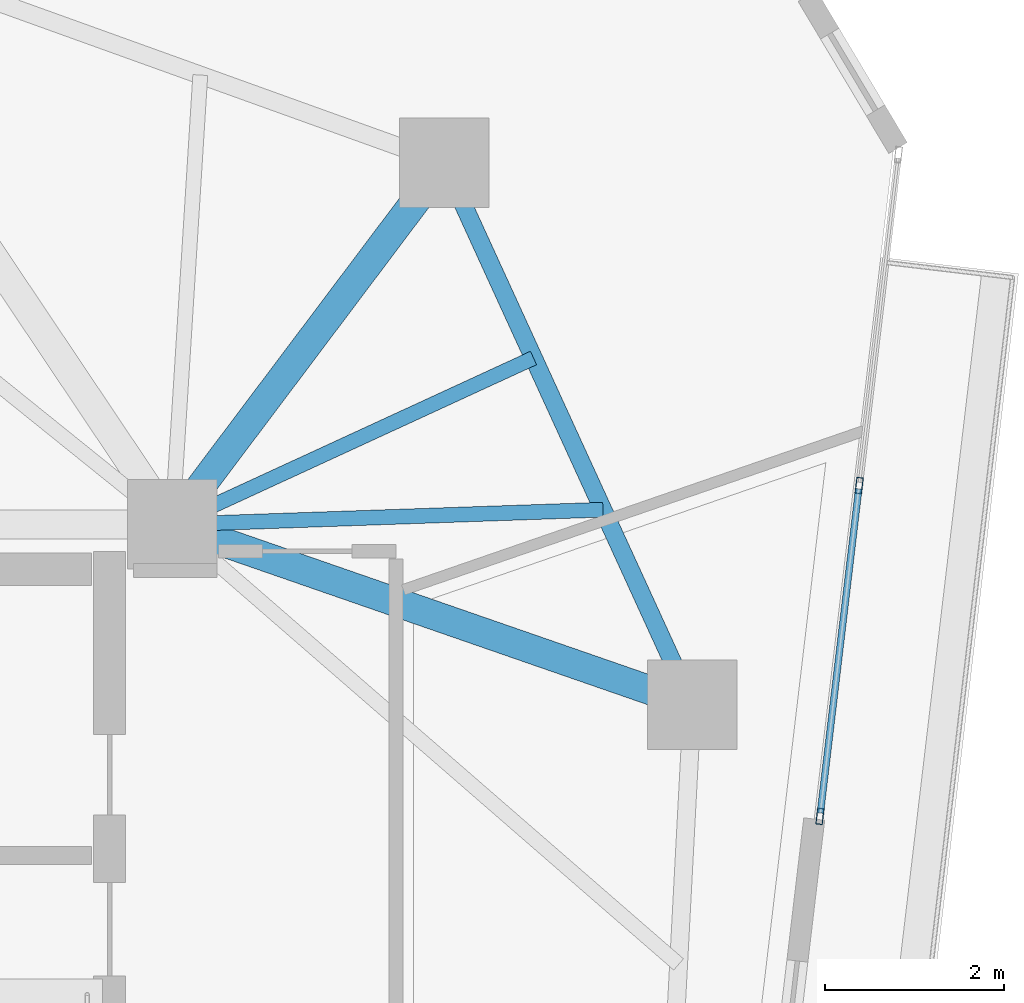
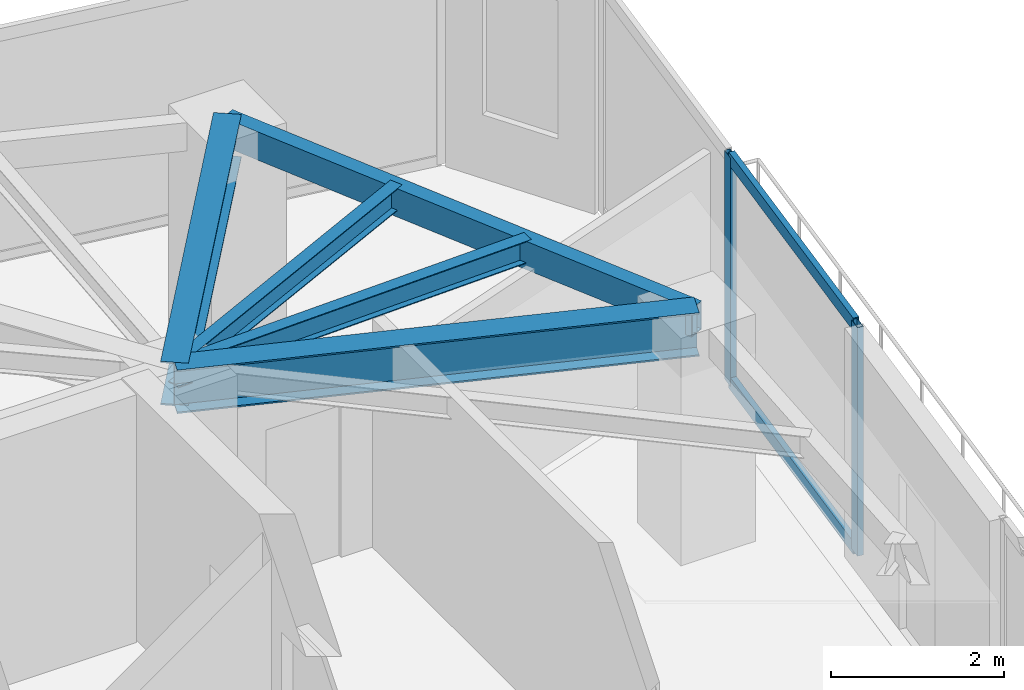
# One storey, part 13 of 22: 5 beams, 4 members, 1 element without a shape of its own.
"""IFC4 building model written with IfcOpenShell, lengths in metres."""

from ifc_helpers import new_model, si_unit, direction, frame, origin, origin_2d, place, context, subcontext, project, spatial, hollow_rectangle, i_section, extrude, source, transform, mapped, material, layer, layer_set, material_profile, profile_set, type_object, type_shapes, element, aggregate, save


model = new_model("IFC4")

# Units and contexts
model_context = context("Model", 3, precision=1e-05, world=origin(), true_north=direction((0.0, 1.0)))
body_context = subcontext(model_context, "Body", "Model", "MODEL_VIEW")
ifc_project = project(units=[si_unit("LENGTHUNIT", "METRE"), si_unit("AREAUNIT", "SQUARE_METRE"), si_unit("VOLUMEUNIT", "CUBIC_METRE"), si_unit("PLANEANGLEUNIT", "RADIAN"), si_unit("MASSUNIT", "GRAM", prefix="KILO")], contexts=[model_context])

# Site, building, storey
site_placement = place(None, origin())
site = spatial("IfcSite", under=ifc_project, at=site_placement, CompositionType="ELEMENT")
building_placement = place(site_placement, origin())
building = spatial("IfcBuilding", under=site, at=building_placement, Name="Talar Marvaseh", CompositionType="ELEMENT")
storey_placement = place(building_placement, frame((0.0, 0.0, 229.199951171875)))
storey = spatial("IfcBuildingStorey", under=building, at=storey_placement, Name="L60", CompositionType="ELEMENT", Elevation=229.199951171875)

# Beams
ifc_material_1 = material(Name="Steel S355", Category="steel")
ifc_material_profile_1 = material_profile(ifc_material_1, hollow_rectangle(XDim=0.199951171875, YDim=0.39990234375, WallThickness=0.013916015625, at=origin_2d()), Name="RHS400x200x14")
ifc_profile_set_1 = profile_set([ifc_material_profile_1], Name="Steel S355")
beam_type_1 = type_object("IfcBeamType", Name="Zone 3 Perimeter Spandrel Beam RHS400x200x14", PredefinedType="SPANDREL", material=ifc_profile_set_1)
beam_1_placement = place(storey_placement, frame((36.341064453125, 40.94189453125, 3.030029296875), z_axis=(0.416090570719, -0.909323175202, 0.0), x_axis=(0.909323175202, 0.416090570719, 0.0)))
element("IfcBeam", 1, at=beam_1_placement, inside=storey, type_object=beam_type_1, Name="L60 Zone 3 Perimeter Spandrel Beam RHS400x200x14", PredefinedType="SPANDREL", context=body_context, shape_type="SweptSolid", body=[
    extrude(hollow_rectangle(XDim=0.199951171875, YDim=0.39990234375, WallThickness=0.013916015625, at=origin_2d()), origin(), (0.0, 0.0, 1.0), 6.661865234375),
])
ifc_material_profile_2 = material_profile(ifc_material_1, i_section(OverallWidth=0.324951171875, OverallDepth=0.615966796875, WebThickness=0.013916015625, FlangeThickness=0.021484375, at=origin_2d()), Name="W610x174")
ifc_profile_set_2 = profile_set([ifc_material_profile_2], Name="Steel S355")
beam_type_2 = type_object("IfcBeamType", Name="Zone 3 Radial Floor Girder W610x174", PredefinedType="BEAM", material=ifc_profile_set_2)
beam_2_placement = place(storey_placement, frame((36.341064453125, 40.94189453125, 2.922119140625), z_axis=(-0.601204044541, -0.799095549247, 0.0), x_axis=(0.799095549247, -0.601204044541, 0.0)))
element("IfcBeam", 2, at=beam_2_placement, inside=storey, type_object=beam_type_2, Name="L60 Zone 3 Radial Floor Girder W610x174", PredefinedType="BEAM", context=body_context, shape_type="SweptSolid", body=[
    extrude(i_section(OverallWidth=0.324951171875, OverallDepth=0.615966796875, WebThickness=0.013916015625, FlangeThickness=0.021484375, at=origin_2d()), origin(), (0.0, 0.0, 1.0), 5.05810546875),
])
beam_3_placement = place(storey_placement, frame((39.113037109375, 34.884033203125, 2.922119140625), z_axis=(-0.94480098975, 0.327644761544, 0.0), x_axis=(-0.327644761544, -0.94480098975, 0.0)))
element("IfcBeam", 3, at=beam_3_placement, inside=storey, type_object=beam_type_2, Name="L60 Zone 3 Radial Floor Girder W610x174", PredefinedType="BEAM", context=body_context, shape_type="SweptSolid", body=[
    extrude(i_section(OverallWidth=0.324951171875, OverallDepth=0.615966796875, WebThickness=0.013916015625, FlangeThickness=0.021484375, at=origin_2d()), origin(), (0.0, 0.0, 1.0), 6.152587890625),
])
ifc_material_profile_3 = material_profile(ifc_material_1, i_section(OverallWidth=0.166015625, OverallDepth=0.31298828125, WebThickness=0.006591796875, FlangeThickness=0.01123046875, at=origin_2d()), Name="W310x45")
ifc_profile_set_3 = profile_set([ifc_material_profile_3], Name="Steel S355")
beam_type_3 = type_object("IfcBeamType", Name="Zone 3 Secondary Floor Joist W310x45", PredefinedType="JOIST", material=ifc_profile_set_3)
beam_4_placement = place(storey_placement, frame((37.3388671875, 38.760986328125, 3.073486328125), z_axis=(-0.908214702737, -0.418504544458, 0.0), x_axis=(0.418504544458, -0.908214702737, 0.0)))
element("IfcBeam", 4, at=beam_4_placement, inside=storey, type_object=beam_type_3, Name="L60 Zone 3 Secondary Floor Joist W310x45", PredefinedType="JOIST", context=body_context, shape_type="SweptSolid", body=[
    extrude(i_section(OverallWidth=0.166015625, OverallDepth=0.31298828125, WebThickness=0.006591796875, FlangeThickness=0.01123046875, at=origin_2d()), origin(), (0.0, 0.0, 1.0), 4.447021484375),
])
beam_5_placement = place(storey_placement, frame((38.114990234375, 37.06494140625, 3.073486328125), z_axis=(-0.999413079861, -0.034256325017, 0.0), x_axis=(0.034256325017, -0.999413079861, 0.0)))
element("IfcBeam", 5, at=beam_5_placement, inside=storey, type_object=beam_type_3, Name="L60 Zone 3 Secondary Floor Joist W310x45", PredefinedType="JOIST", context=body_context, shape_type="SweptSolid", body=[
    extrude(i_section(OverallWidth=0.166015625, OverallDepth=0.31298828125, WebThickness=0.006591796875, FlangeThickness=0.01123046875, at=origin_2d()), origin(), (0.0, 0.0, 1.0), 4.81787109375),
])

# Curtain wall, members
ifc_material_2 = material(Name="Architectural Aluminium", Category="aluminium")
ifc_layer = layer(ifc_material_2, 0.18994140625)
ifc_layer_set = layer_set([ifc_layer], Name="Architectural Aluminium")
curtain_wall_type = type_object("IfcCurtainWallType", Name="Unitised Solar Atelier Curtain Wall Z3", PredefinedType="NOTDEFINED", material=ifc_layer_set)
curtain_wall_placement = place(storey_placement, origin())
curtain_wall = element("IfcCurtainWall", 6, at=curtain_wall_placement, inside=storey, type_object=curtain_wall_type, Name="L60 Unitised Solar Atelier Curtain Wall Z3", PredefinedType="NOTDEFINED")
ifc_material_profile_4 = material_profile(ifc_material_2, hollow_rectangle(XDim=0.074951171875, YDim=0.179931640625, WallThickness=0.0048828125, at=origin_2d()), Name="RHS180x75x5")
ifc_profile_set_4 = profile_set([ifc_material_profile_4], Name="Architectural Aluminium")
member_type_1 = type_object("IfcMemberType", Name="Unitised Curtain Wall Standard Mullion RHS180x75x5", PredefinedType="MULLION", material=ifc_profile_set_4)
shared_shape_1 = source(origin(), body_context, "Body", "SweptSolid", [
    extrude(hollow_rectangle(XDim=0.074951171875, YDim=0.179931640625, WallThickness=0.0048828125, at=origin_2d()), origin(), (0.0, 0.0, 1.0), 3.22998046875),
])
type_shapes(member_type_1, [shared_shape_1])
member_1_placement = place(storey_placement, frame((40.978759765625, 37.3349609375, 0.0), z_axis=(0.0, 0.0, 1.0), x_axis=(0.993050517361, -0.117688869355, 0.0)))
member_1 = element("IfcMember", 7, at=member_1_placement, type_object=member_type_1, Name="CW-Z3 mullion 2", PredefinedType="MULLION", context=body_context, shape_type="MappedRepresentation", body=[
    mapped(shared_shape_1, transform((0.0, 0.0, 0.0), x_axis=(1.0, 0.0, 0.0), y_axis=(0.0, 1.0, 0.0), z_axis=(0.0, 0.0, 1.0), scale=1.0)),
])
member_2_placement = place(storey_placement, frame((40.54052734375, 33.63720703125, 0.0), z_axis=(0.0, 0.0, 1.0), x_axis=(0.993050517361, -0.117688869355, 0.0)))
member_2 = element("IfcMember", 8, at=member_2_placement, type_object=member_type_1, Name="CW-Z3 mullion 3", PredefinedType="MULLION", context=body_context, shape_type="MappedRepresentation", body=[
    mapped(shared_shape_1, transform((0.0, 0.0, 0.0), x_axis=(1.0, 0.0, 0.0), y_axis=(0.0, 1.0, 0.0), z_axis=(0.0, 0.0, 1.0), scale=1.0)),
])
ifc_material_profile_5 = material_profile(ifc_material_2, hollow_rectangle(XDim=0.074951171875, YDim=0.179931640625, WallThickness=0.0048828125, at=origin_2d()), Name="RHS180x75x5")
ifc_profile_set_5 = profile_set([ifc_material_profile_5], Name="Architectural Aluminium")
member_type_2 = type_object("IfcMemberType", Name="Unitised Curtain Wall Transom RHS180x75x5", PredefinedType="USERDEFINED", material=ifc_profile_set_5)
shared_shape_2 = source(origin(), body_context, "Body", "SweptSolid", [
    extrude(hollow_rectangle(XDim=0.074951171875, YDim=0.179931640625, WallThickness=0.0048828125, at=origin_2d()), origin(), (0.0, 0.0, 1.0), 3.648681640625),
])
type_shapes(member_type_2, [shared_shape_2])
member_3_placement = place(storey_placement, frame((40.974365234375, 37.2978515625, 0.03759765625), z_axis=(-0.117699191972, -0.993049293947, 0.0), x_axis=(0.993049293947, -0.117699191972, 0.0)))
member_3 = element("IfcMember", 9, at=member_3_placement, type_object=member_type_2, Name="CW-Z3 transom 2.1", ObjectType="TRANSOM", PredefinedType="USERDEFINED", context=body_context, shape_type="MappedRepresentation", body=[
    mapped(shared_shape_2, transform((0.0, 0.0, 0.0), x_axis=(1.0, 0.0, 0.0), y_axis=(0.0, 1.0, 0.0), z_axis=(0.0, 0.0, 1.0), scale=1.0)),
])
member_4_placement = place(storey_placement, frame((40.974365234375, 37.2978515625, 3.192626953125), z_axis=(-0.117699191972, -0.993049293947, 0.0), x_axis=(0.993049293947, -0.117699191972, 0.0)))
member_4 = element("IfcMember", 10, at=member_4_placement, type_object=member_type_2, Name="CW-Z3 transom 2.2", ObjectType="TRANSOM", PredefinedType="USERDEFINED", context=body_context, shape_type="MappedRepresentation", body=[
    mapped(shared_shape_2, transform((0.0, 0.0, 0.0), x_axis=(1.0, 0.0, 0.0), y_axis=(0.0, 1.0, 0.0), z_axis=(0.0, 0.0, 1.0), scale=1.0)),
])
aggregate(curtain_wall, [member_1, member_2, member_3, member_4])

save(model, "model.ifc")
